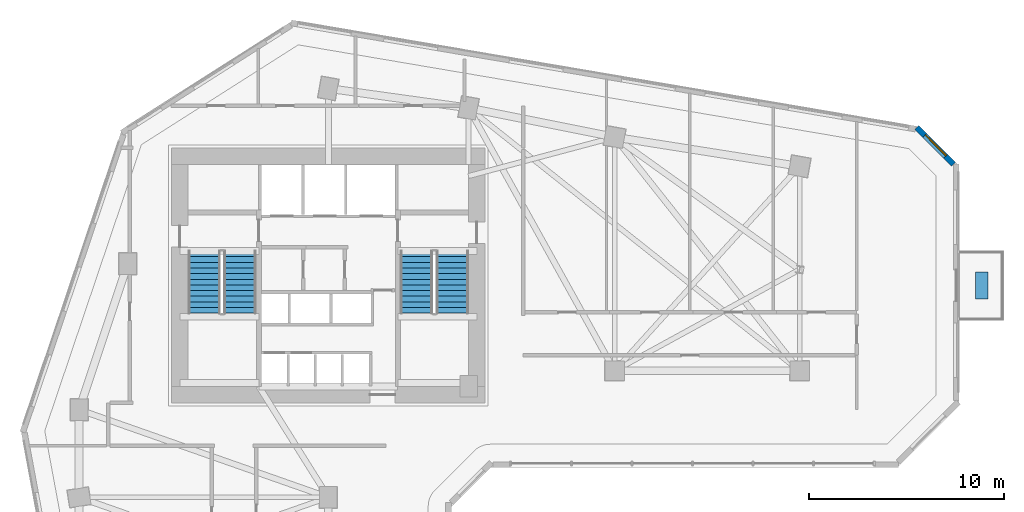
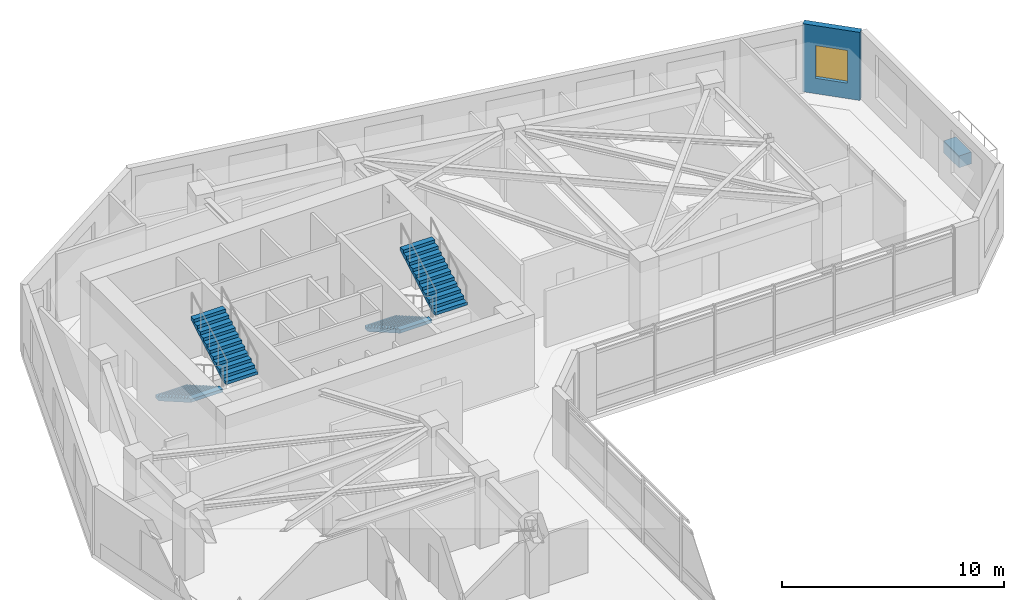
# One storey, part 8 of 11: 4 stair flights, 1 discrete accessory, 1 wall, 1 window, 1 opening, 2 elements without a shape of their own.
"""IFC4 building model written with IfcOpenShell, lengths in metres."""

from ifc_helpers import new_model, si_unit, direction, frame, frame_2d, origin, origin_2d, place, context, subcontext, project, spatial, polyline, rectangle, outline, extrude, source, transform, mapped, material, layer, layer_set, type_object, element, fill, aggregate, save


model = new_model("IFC4")

# Units and contexts
model_context = context("Model", 3, precision=1e-05, world=origin(), true_north=direction((0.0, 1.0)))
body_context = subcontext(model_context, "Body", "Model", "MODEL_VIEW")
ifc_project = project(units=[si_unit("LENGTHUNIT", "METRE"), si_unit("AREAUNIT", "SQUARE_METRE"), si_unit("VOLUMEUNIT", "CUBIC_METRE"), si_unit("PLANEANGLEUNIT", "RADIAN"), si_unit("MASSUNIT", "GRAM", prefix="KILO")], contexts=[model_context])

# Site, building, storey
site_placement = place(None, origin())
site = spatial("IfcSite", under=ifc_project, at=site_placement, CompositionType="ELEMENT")
building_placement = place(site_placement, origin())
building = spatial("IfcBuilding", under=site, at=building_placement, Name="Calvemar Wedge Station Tower", CompositionType="ELEMENT")
storey_placement = place(building_placement, frame((0.0, 0.0, 83.0)))
storey = spatial("IfcBuildingStorey", under=building, at=storey_placement, Name="L20", CompositionType="ELEMENT", Elevation=83.0)

# Wall, opening, window
ifc_material_1 = material(Name="Precast concrete C45", Category="concrete")
ifc_layer = layer(ifc_material_1, 0.300048828125)
ifc_layer_set = layer_set([ifc_layer], Name="Precast concrete C45")
wall_type = type_object("IfcWallType", Name="W-EXT-GFRC-300", PredefinedType="SOLIDWALL", material=ifc_layer_set)
wall_placement = place(storey_placement, frame((55.912109375, 45.60400390625, 0.0), z_axis=(0.0, 0.0, 1.0), x_axis=(-0.707152443695, 0.707061115729, 0.0)))
wall = element("IfcWall", 1, at=wall_placement, inside=storey, type_object=wall_type, Name="Storey L20 Bronze GFRC Exterior Wall 9", PredefinedType="SOLIDWALL", context=body_context, shape_type="SweptSolid", body=[
    extrude(rectangle(XDim=2.67333984375, YDim=0.300048828125, at=frame_2d((1.336669921875, 0.0))), origin(), (0.0, 0.0, 1.0), 3.75),
])
shared_shape_1 = source(origin(), body_context, "Body", "SweptSolid", [
    extrude(rectangle(XDim=1.5, YDim=1.800048828125, at=frame_2d((0.75, 0.89990234375))), frame((0.0, 0.16015625, 0.0), z_axis=(0.0, -1.0, 0.0), x_axis=(1.0, 0.0, 0.0)), (0.0, 0.0, 1.0), 0.320068359375),
])
opening_placement = place(wall_placement, frame((0.5869140625, 0.0, 0.85009765625)))
opening = element("IfcOpeningElement", 2, at=opening_placement, cuts=wall, Name="Opening W3", PredefinedType="OPENING", context=body_context, shape_type="MappedRepresentation", body=[
    mapped(shared_shape_1, transform((0.0, 0.0, 0.0), scale=1.0)),
])
ifc_material_2 = material(Name="Low-E laminated insulated glass", Category="glass")
window_type = type_object("IfcWindowType", Name="WIN-EXT-3", PartitioningType="SINGLE_PANEL", PredefinedType="WINDOW", material=ifc_material_2)
shared_shape_2 = source(origin(), body_context, "Body", "SweptSolid", [
    extrude(rectangle(XDim=1.5, YDim=1.800048828125, at=frame_2d((0.75, 0.89990234375))), frame((0.0, -0.014892578125, 0.0), z_axis=(0.0, -1.0, 0.0), x_axis=(1.0, 0.0, 0.0)), (0.0, 0.0, 1.0), 0.06005859375),
])
window_placement = place(opening_placement, origin())
window = element("IfcWindow", 3, at=window_placement, inside=storey, type_object=window_type, Name="Storey L20 Recessed Window 9.1", OverallHeight=1.800048828125, OverallWidth=1.5, PartitioningType="SINGLE_PANEL", PredefinedType="WINDOW", context=body_context, shape_type="MappedRepresentation", body=[
    mapped(shared_shape_2, transform((0.0, 0.0, 0.0), scale=1.0)),
])
fill(opening, window)

# Stair, stair flights
ifc_material_3 = material(Name="Concrete C45", Category="concrete")
stair_type = type_object("IfcStairType", Name="ST-TYPE-4000", PredefinedType="HALF_TURN_STAIR", material=ifc_material_3)
stair_1_placement = place(storey_placement, origin())
stair_1 = element("IfcStair", 4, at=stair_1_placement, inside=storey, type_object=stair_type, Name="L20 Pressurized Core Exit Stair ST-C1", PredefinedType="HALF_TURN_STAIR")
stair_flight_type = type_object("IfcStairFlightType", Name="STF-TYPE-4000", PredefinedType="STRAIGHT", material=ifc_material_3)
stair_flight_1_placement = place(storey_placement, frame((17.429931640625, 41.14990234375, 0.0), z_axis=(0.0, 0.0, 1.0), x_axis=(0.0, -1.0, 0.0)))
stair_flight_1 = element("IfcStairFlight", 5, at=stair_flight_1_placement, type_object=stair_flight_type, Name="ST-C1 flight 1", NumberOfRisers=12, NumberOfTreads=11, PredefinedType="STRAIGHT", RiserHeight=0.166666667, TreadLength=0.29, context=body_context, shape_type="SweptSolid", body=[
    extrude(outline(polyline([(0.0, 0.0), (0.0, 0.166748046875), (0.2900390625, 0.166748046875), (0.2900390625, 0.333251953125), (0.580078125, 0.333251953125), (0.580078125, 0.5), (0.8701171875, 0.5), (0.8701171875, 0.666748046875), (1.159912109375, 0.666748046875), (1.159912109375, 0.833251953125), (1.449951171875, 0.833251953125), (1.449951171875, 1.0), (1.739990234375, 1.0), (1.739990234375, 1.166748046875), (2.030029296875, 1.166748046875), (2.030029296875, 1.333251953125), (2.320068359375, 1.333251953125), (2.320068359375, 1.5), (2.610107421875, 1.5), (2.610107421875, 1.666748046875), (2.89990234375, 1.666748046875), (2.89990234375, 1.833251953125), (3.18994140625, 1.833251953125), (3.18994140625, 2.0), (3.18994140625, 1.660400390625), (0.30078125, 0.0), (0.0, 0.0)])), frame((0.0, 0.830078125, 0.0), z_axis=(0.0, -1.0, 0.0), x_axis=(1.0, 0.0, 0.0)), (0.0, 0.0, 1.0), 1.659912109375),
])
stair_flight_2_placement = place(storey_placement, frame((19.27001953125, 37.9599609375, 2.0), z_axis=(0.0, 0.0, 1.0), x_axis=(0.0, 1.0, 0.0)))
stair_flight_2 = element("IfcStairFlight", 6, at=stair_flight_2_placement, type_object=stair_flight_type, Name="ST-C1 flight 2", NumberOfRisers=12, NumberOfTreads=11, PredefinedType="STRAIGHT", RiserHeight=0.166666667, TreadLength=0.29, context=body_context, shape_type="SweptSolid", body=[
    extrude(outline(polyline([(0.0, 0.0), (0.0, 0.166748046875), (0.2900390625, 0.166748046875), (0.2900390625, 0.333251953125), (0.580078125, 0.333251953125), (0.580078125, 0.5), (0.8701171875, 0.5), (0.8701171875, 0.666748046875), (1.159912109375, 0.666748046875), (1.159912109375, 0.833251953125), (1.449951171875, 0.833251953125), (1.449951171875, 1.0), (1.739990234375, 1.0), (1.739990234375, 1.166748046875), (2.030029296875, 1.166748046875), (2.030029296875, 1.333251953125), (2.320068359375, 1.333251953125), (2.320068359375, 1.5), (2.610107421875, 1.5), (2.610107421875, 1.666748046875), (2.89990234375, 1.666748046875), (2.89990234375, 1.833251953125), (3.18994140625, 1.833251953125), (3.18994140625, 2.0), (3.18994140625, 1.660400390625), (0.30078125, 0.0), (0.0, 0.0)])), frame((0.0, 0.830078125, 0.0), z_axis=(0.0, -1.0, 0.0), x_axis=(1.0, 0.0, 0.0)), (0.0, 0.0, 1.0), 1.659912109375),
])
aggregate(stair_1, [stair_flight_1, stair_flight_2])

stair_2_placement = place(storey_placement, origin())
stair_2 = element("IfcStair", 7, at=stair_2_placement, inside=storey, type_object=stair_type, Name="L20 Pressurized Core Exit Stair ST-C2", PredefinedType="HALF_TURN_STAIR")
stair_flight_3_placement = place(storey_placement, frame((28.330078125, 41.14990234375, 0.0), z_axis=(0.0, 0.0, 1.0), x_axis=(0.0, -1.0, 0.0)))
stair_flight_3 = element("IfcStairFlight", 8, at=stair_flight_3_placement, type_object=stair_flight_type, Name="ST-C2 flight 1", NumberOfRisers=12, NumberOfTreads=11, PredefinedType="STRAIGHT", RiserHeight=0.166666667, TreadLength=0.29, context=body_context, shape_type="SweptSolid", body=[
    extrude(outline(polyline([(0.0, 0.0), (0.0, 0.166748046875), (0.2900390625, 0.166748046875), (0.2900390625, 0.333251953125), (0.580078125, 0.333251953125), (0.580078125, 0.5), (0.8701171875, 0.5), (0.8701171875, 0.666748046875), (1.159912109375, 0.666748046875), (1.159912109375, 0.833251953125), (1.449951171875, 0.833251953125), (1.449951171875, 1.0), (1.739990234375, 1.0), (1.739990234375, 1.166748046875), (2.030029296875, 1.166748046875), (2.030029296875, 1.333251953125), (2.320068359375, 1.333251953125), (2.320068359375, 1.5), (2.610107421875, 1.5), (2.610107421875, 1.666748046875), (2.89990234375, 1.666748046875), (2.89990234375, 1.833251953125), (3.18994140625, 1.833251953125), (3.18994140625, 2.0), (3.18994140625, 1.660400390625), (0.30078125, 0.0), (0.0, 0.0)])), frame((0.0, 0.830078125, 0.0), z_axis=(0.0, -1.0, 0.0), x_axis=(1.0, 0.0, 0.0)), (0.0, 0.0, 1.0), 1.659912109375),
])
stair_flight_4_placement = place(storey_placement, frame((30.169921875, 37.9599609375, 2.0), z_axis=(0.0, 0.0, 1.0), x_axis=(0.0, 1.0, 0.0)))
stair_flight_4 = element("IfcStairFlight", 9, at=stair_flight_4_placement, type_object=stair_flight_type, Name="ST-C2 flight 2", NumberOfRisers=12, NumberOfTreads=11, PredefinedType="STRAIGHT", RiserHeight=0.166666667, TreadLength=0.29, context=body_context, shape_type="SweptSolid", body=[
    extrude(outline(polyline([(0.0, 0.0), (0.0, 0.166748046875), (0.2900390625, 0.166748046875), (0.2900390625, 0.333251953125), (0.580078125, 0.333251953125), (0.580078125, 0.5), (0.8701171875, 0.5), (0.8701171875, 0.666748046875), (1.159912109375, 0.666748046875), (1.159912109375, 0.833251953125), (1.449951171875, 0.833251953125), (1.449951171875, 1.0), (1.739990234375, 1.0), (1.739990234375, 1.166748046875), (2.030029296875, 1.166748046875), (2.030029296875, 1.333251953125), (2.320068359375, 1.333251953125), (2.320068359375, 1.5), (2.610107421875, 1.5), (2.610107421875, 1.666748046875), (2.89990234375, 1.666748046875), (2.89990234375, 1.833251953125), (3.18994140625, 1.833251953125), (3.18994140625, 2.0), (3.18994140625, 1.660400390625), (0.30078125, 0.0), (0.0, 0.0)])), frame((0.0, 0.830078125, 0.0), z_axis=(0.0, -1.0, 0.0), x_axis=(1.0, 0.0, 0.0)), (0.0, 0.0, 1.0), 1.659912109375),
])
aggregate(stair_2, [stair_flight_3, stair_flight_4])

# Discrete accessory
discrete_accessory_type = type_object("IfcDiscreteAccessoryType", Name="ACC-PLANTER", PredefinedType="USERDEFINED", material=ifc_material_1)
shared_shape_3 = source(origin(), body_context, "Body", "SweptSolid", [
    extrude(rectangle(XDim=0.64990234375, YDim=1.39990234375, at=origin_2d()), origin(), (0.0, 0.0, 1.0), 0.64990234375),
])
discrete_accessory_placement = place(storey_placement, frame((57.35009765625, 39.3779296875, 0.0), z_axis=(0.0, 0.0, 1.0), x_axis=(1.0, 0.0, 0.0)))
element("IfcDiscreteAccessory", 10, at=discrete_accessory_placement, inside=storey, type_object=discrete_accessory_type, Name="Storey L20 Planted Terrace GFRC Planter", ObjectType="PLANTER", PredefinedType="USERDEFINED", context=body_context, shape_type="MappedRepresentation", body=[
    mapped(shared_shape_3, transform((0.0, 0.0, 0.0), scale=1.0)),
])

save(model, "model.ifc")
